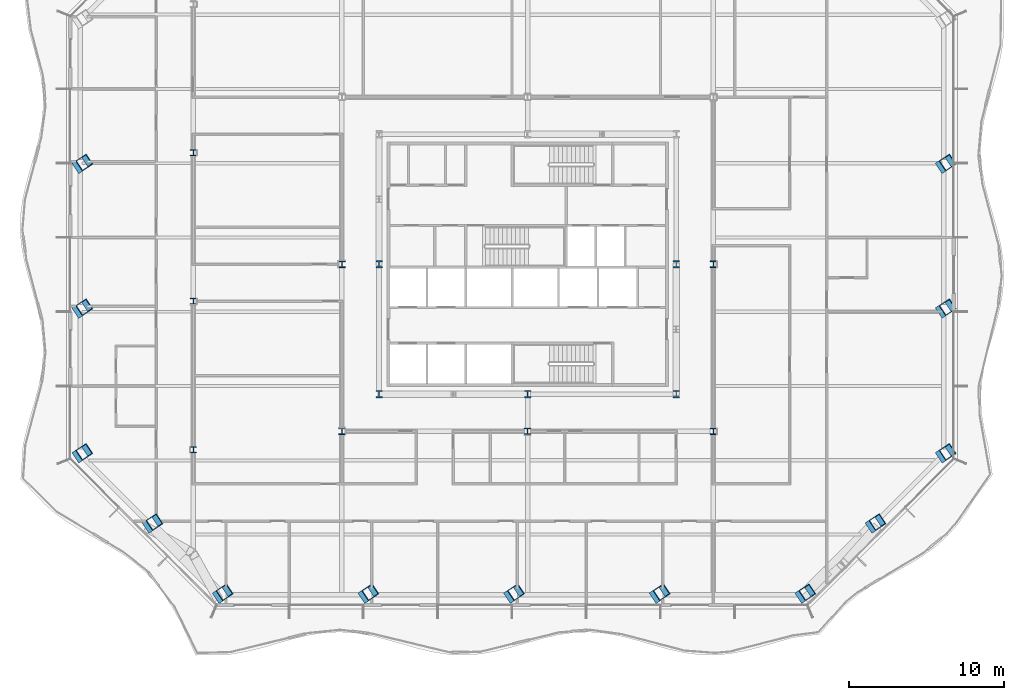
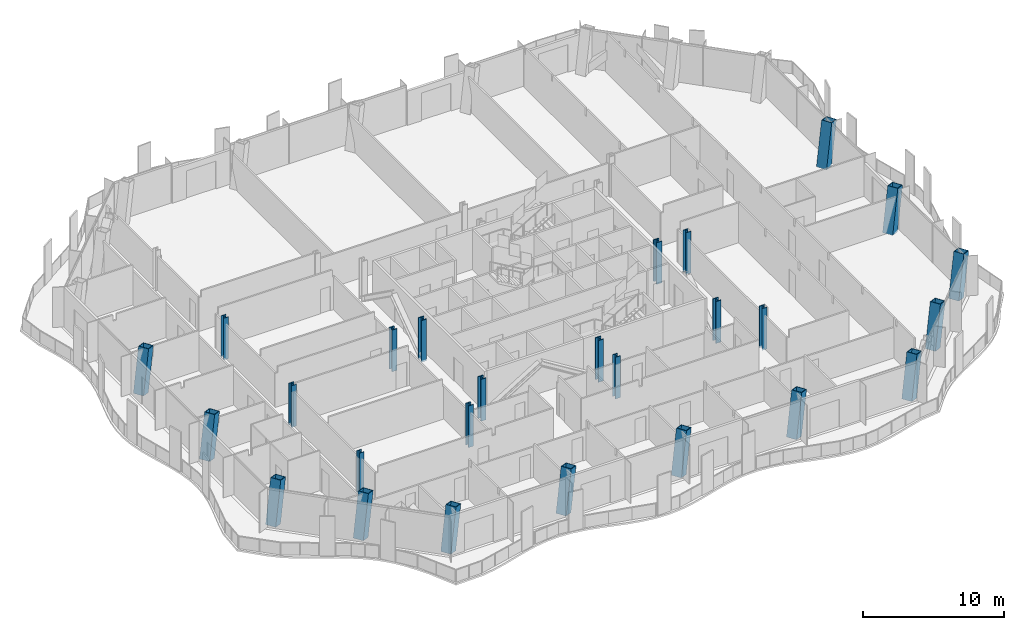
# One storey, part 1 of 21: 26 columns.
"""IFC4 building model written with IfcOpenShell, lengths in metres."""

from ifc_helpers import new_model, si_unit, direction, frame, origin, origin_2d, place, context, subcontext, project, spatial, hollow_rectangle, i_section, extrude, clip, halfspace, material, material_profile, profile_set, type_object, element, save


model = new_model("IFC4")

# Units and contexts
model_context = context("Model", 3, precision=1e-05, world=origin(), true_north=direction((0.0, 1.0)))
body_context = subcontext(model_context, "Body", "Model", "MODEL_VIEW")
ifc_project = project(units=[si_unit("LENGTHUNIT", "METRE"), si_unit("AREAUNIT", "SQUARE_METRE"), si_unit("VOLUMEUNIT", "CUBIC_METRE"), si_unit("PLANEANGLEUNIT", "RADIAN"), si_unit("MASSUNIT", "GRAM", prefix="KILO")], contexts=[model_context])

# Site, building, storey
site_placement = place(None, origin())
site = spatial("IfcSite", under=ifc_project, at=site_placement, CompositionType="ELEMENT")
building_placement = place(site_placement, origin())
building = spatial("IfcBuilding", under=site, at=building_placement, Name="Cairn Pilgrim Tower", CompositionType="ELEMENT")
storey_placement = place(building_placement, frame((0.0, 0.0, 108.60009765625)))
storey = spatial("IfcBuildingStorey", under=building, at=storey_placement, Name="L26", CompositionType="ELEMENT", Elevation=108.60009765625)

# Columns
ifc_material_1 = material(Name="Structural steel S460M", Category="steel")
ifc_material_profile_1 = material_profile(ifc_material_1, hollow_rectangle(XDim=0.800048828125, YDim=0.800048828125, WallThickness=0.050048828125, at=origin_2d()), Name="BOX 800x800x50")
ifc_profile_set_1 = profile_set([ifc_material_profile_1], Name="Structural steel S460M")
column_type_1 = type_object("IfcColumnType", Name="BOX 800x800x50", PredefinedType="COLUMN", material=ifc_profile_set_1)
for number, where, z_axis, x_axis, name in (
    (1, (-12.635498046875, -18.972412109375, -0.150146484375), (0.18618892802, 0.12419204677, 0.974633273904), (-0.554904631179, 0.831913968085, 0.0), "PC1-S1"),
    (2, (-3.221923828125, -18.972412109375, -0.150146484375), (0.18618892802, 0.12419204677, 0.974633273904), (-0.554904631179, 0.831913968085, 0.0), "PC1-S2"),
    (3, (6.191650390625, -18.972412109375, -0.150146484375), (0.18618892802, 0.12419204677, 0.974633273904), (-0.554904631179, 0.831913968085, 0.0), "PC1-S3"),
    (4, (15.605224609375, -18.972412109375, -0.150146484375), (0.186252730337, 0.124190518205, 0.974621278051), (-0.554768328192, 0.832004868997, 0.0), "PC1-S4"),
    (5, (25.018798828125, -18.972412109375, -0.150146484375), (0.186252730337, 0.124190518205, 0.974621278051), (-0.554768328192, 0.832004868997, 0.0), "PC1-SE1"),
    (6, (29.55517578125, -14.435791015625, -0.150146484375), (0.186254258756, 0.124125442847, 0.974629275947), (-0.554563898811, 0.832141143157, 0.0), "PC1-SE2"),
    (7, (34.091552734375, -9.8994140625, -0.150146484375), (0.186254258756, 0.124125442847, 0.974629275947), (-0.554563898811, 0.832141143157, 0.0), "PC1-E1"),
    (8, (34.091552734375, -0.548095703125, -0.150146484375), (0.186252730337, 0.124190518205, 0.974621278051), (-0.554768328192, 0.832004868997, 0.0), "PC1-E2"),
    (9, (34.091552734375, 8.803466796875, -0.150146484375), (0.186252730337, 0.124190518205, 0.974621278051), (-0.554768328192, 0.832004868997, 0.0), "PC1-E3"),
    (10, (-21.70849609375, 8.803466796875, -0.150146484375), (0.186252730337, 0.124190518205, 0.974621278051), (-0.554768328192, 0.832004868997, 0.0), "PC1-W2"),
    (11, (-21.70849609375, -0.548095703125, -0.150146484375), (0.186252730337, 0.124190518205, 0.974621278051), (-0.554768328192, 0.832004868997, 0.0), "PC1-W3"),
    (12, (-21.70849609375, -9.8994140625, -0.150146484375), (0.186254258756, 0.124125442847, 0.974629275947), (-0.554563898811, 0.832141143157, 0.0), "PC1-SW1"),
    (13, (-17.172119140625, -14.435791015625, -0.150146484375), (0.186254258756, 0.124125442847, 0.974629275947), (-0.554563898811, 0.832141143157, 0.0), "PC1-SW2"),
):
    element("IfcColumn", number, at=place(storey_placement, frame(where, z_axis=z_axis, x_axis=x_axis)), inside=storey, type_object=column_type_1, Name=name, PredefinedType="COLUMN", context=body_context, shape_type="Clipping", body=[
        clip(clip(extrude(hollow_rectangle(XDim=0.800048828125, YDim=0.800048828125, WallThickness=0.050048828125, at=origin_2d()), origin(), (0.0, 0.0, 1.0), 3.69384765625), halfspace(frame((0.0, 0.0, 0.02392578125), z_axis=(0.0, 0.0, 1.0), x_axis=(1.0, 0.0, 0.0)), True)), halfspace(frame((0.0, 0.0, 3.669921875), z_axis=(0.0, 0.0, 1.0), x_axis=(1.0, 0.0, 0.0)), False)),
    ])
ifc_material_2 = material(Name="Structural steel S355J2", Category="steel")
ifc_material_profile_2 = material_profile(ifc_material_2, i_section(OverallWidth=0.39892578125, OverallDepth=0.39306640625, WebThickness=0.022705078125, FlangeThickness=0.03662109375, FilletRadius=0.014892578125, at=origin_2d()), Name="HD 400x287")
ifc_profile_set_2 = profile_set([ifc_material_profile_2], Name="Structural steel S355J2")
column_type_2 = type_object("IfcColumnType", Name="HD 400x287", PredefinedType="COLUMN", material=ifc_profile_set_2)
for number, where, z_axis, x_axis, name in (
    (14, (-14.39990234375, -9.60009765625, -0.150146484375), (0.0, 0.0, 1.0), (1.0, 0.0, 0.0), "WC-WW-2"),
    (15, (-14.39990234375, 0.0, -0.150146484375), (0.0, 0.0, 1.0), (1.0, 0.0, 0.0), "WC-WW+0"),
    (16, (-14.39990234375, 9.60009765625, -0.150146484375), (0.0, 0.0, 1.0), (1.0, 0.0, 0.0), "WC-WW+2"),
):
    element("IfcColumn", number, at=place(storey_placement, frame(where, z_axis=z_axis, x_axis=x_axis)), inside=storey, type_object=column_type_2, Name=name, PredefinedType="COLUMN", context=body_context, shape_type="SweptSolid", body=[
        extrude(i_section(OverallWidth=0.39892578125, OverallDepth=0.39306640625, WebThickness=0.022705078125, FlangeThickness=0.03662109375, FilletRadius=0.014892578125, at=origin_2d()), origin(), (0.0, 0.0, 1.0), 3.60009765625),
    ])
ifc_material_profile_3 = material_profile(ifc_material_1, i_section(OverallWidth=0.408935546875, OverallDepth=0.425048828125, WebThickness=0.03271484375, FlangeThickness=0.052490234375, FilletRadius=0.014892578125, at=origin_2d()), Name="HD 400x421")
ifc_profile_set_3 = profile_set([ifc_material_profile_3], Name="Structural steel S460M")
column_type_3 = type_object("IfcColumnType", Name="HD 400x421", PredefinedType="COLUMN", material=ifc_profile_set_3)
for number, where, z_axis, x_axis, name in (
    (17, (-4.800048828125, -8.39990234375, -0.150146484375), (0.0, 0.0, 1.0), (1.0, 0.0, 0.0), "IC-1"),
    (18, (7.199951171875, -8.39990234375, -0.150146484375), (0.0, 0.0, 1.0), (1.0, 0.0, 0.0), "IC-2"),
    (19, (19.199951171875, -8.39990234375, -0.150146484375), (0.0, 0.0, 1.0), (1.0, 0.0, 0.0), "IC-3"),
    (20, (-4.800048828125, 2.39990234375, -0.150146484375), (0.0, 0.0, 1.0), (1.0, 0.0, 0.0), "IC-4"),
    (21, (19.199951171875, 2.39990234375, -0.150146484375), (0.0, 0.0, 1.0), (1.0, 0.0, 0.0), "IC-5"),
):
    element("IfcColumn", number, at=place(storey_placement, frame(where, z_axis=z_axis, x_axis=x_axis)), inside=storey, type_object=column_type_3, Name=name, PredefinedType="COLUMN", context=body_context, shape_type="SweptSolid", body=[
        extrude(i_section(OverallWidth=0.408935546875, OverallDepth=0.425048828125, WebThickness=0.03271484375, FlangeThickness=0.052490234375, FilletRadius=0.014892578125, at=origin_2d()), origin(), (0.0, 0.0, 1.0), 3.60009765625),
    ])
ifc_material_profile_4 = material_profile(ifc_material_1, i_section(OverallWidth=0.424072265625, OverallDepth=0.47412109375, WebThickness=0.047607421875, FlangeThickness=0.0771484375, FilletRadius=0.014892578125, at=origin_2d()), Name="HD 400x634")
ifc_profile_set_4 = profile_set([ifc_material_profile_4], Name="Structural steel S460M")
column_type_4 = type_object("IfcColumnType", Name="HD 400x634", PredefinedType="COLUMN", material=ifc_profile_set_4)
for number, where, z_axis, x_axis, name in (
    (22, (-2.39990234375, -6.0, -0.150146484375), (0.0, 0.0, 1.0), (1.0, 0.0, 0.0), "KC-1"),
    (23, (7.199951171875, -6.0, -0.150146484375), (0.0, 0.0, 1.0), (1.0, 0.0, 0.0), "KC-2"),
    (24, (16.800048828125, -6.0, -0.150146484375), (0.0, 0.0, 1.0), (1.0, 0.0, 0.0), "KC-3"),
    (25, (-2.39990234375, 2.39990234375, -0.150146484375), (0.0, 0.0, 1.0), (1.0, 0.0, 0.0), "KC-4"),
    (26, (16.800048828125, 2.39990234375, -0.150146484375), (0.0, 0.0, 1.0), (1.0, 0.0, 0.0), "KC-5"),
):
    element("IfcColumn", number, at=place(storey_placement, frame(where, z_axis=z_axis, x_axis=x_axis)), inside=storey, type_object=column_type_4, Name=name, PredefinedType="COLUMN", context=body_context, shape_type="SweptSolid", body=[
        extrude(i_section(OverallWidth=0.424072265625, OverallDepth=0.47412109375, WebThickness=0.047607421875, FlangeThickness=0.0771484375, FilletRadius=0.014892578125, at=origin_2d()), origin(), (0.0, 0.0, 1.0), 3.60009765625),
    ])

save(model, "model.ifc")
